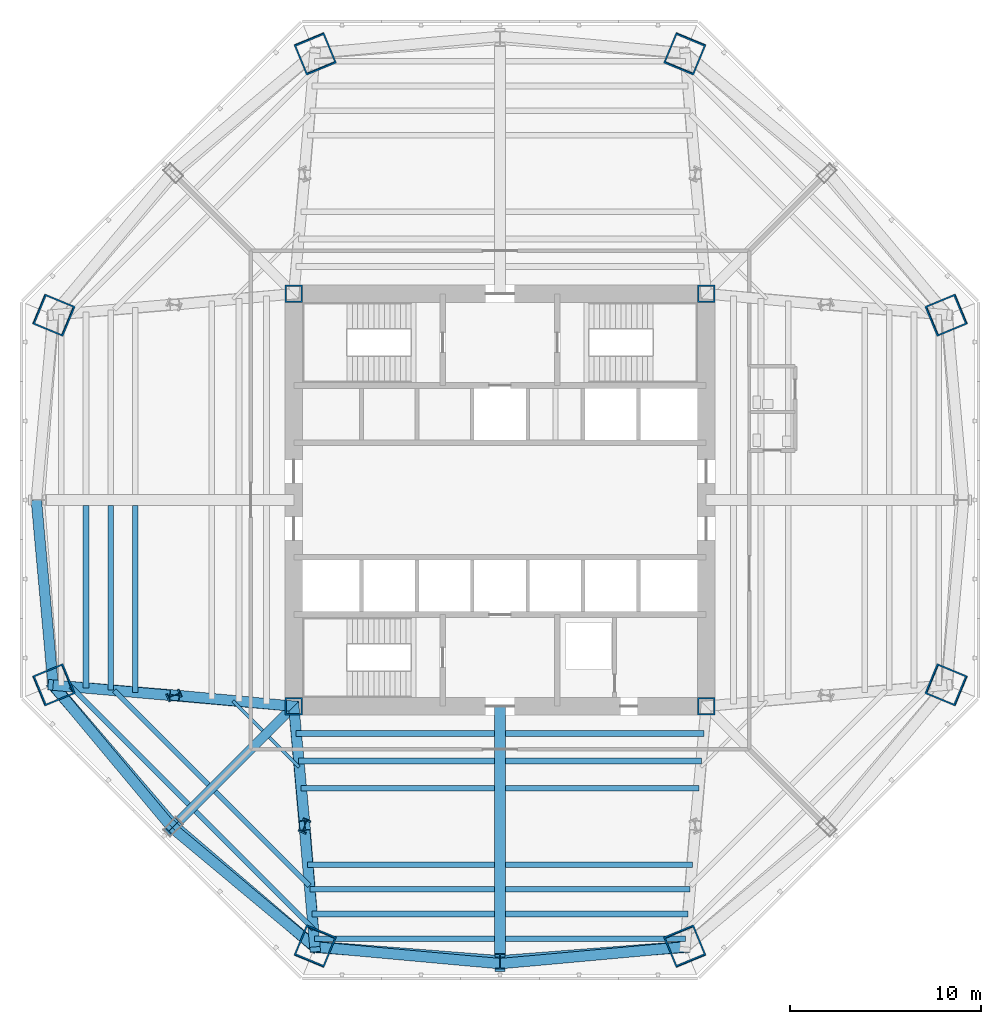
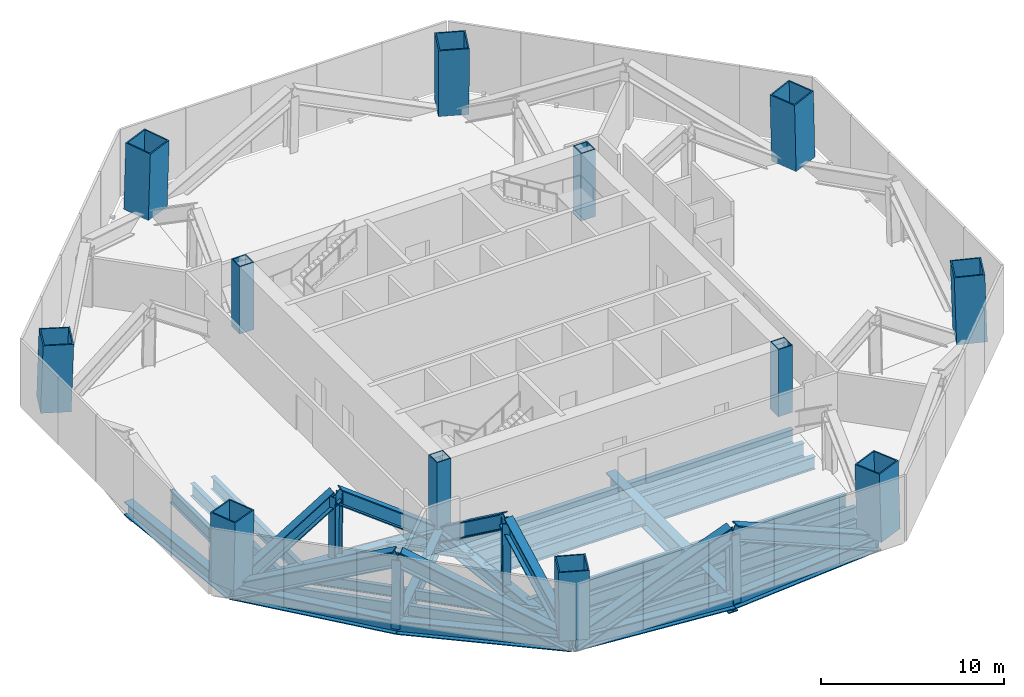
# One storey, part 1 of 9: 25 beams, 21 members, 12 columns.
"""IFC4 building model written with IfcOpenShell, lengths in metres."""

from ifc_helpers import new_model, si_unit, direction, frame, origin, origin_2d, place, context, subcontext, project, spatial, hollow_rectangle, i_section, extrude, source, transform, mapped, material, material_profile, profile_set, type_object, type_shapes, element, save


model = new_model("IFC4")

# Units and contexts
model_context = context("Model", 3, precision=1e-05, world=origin(), true_north=direction((0.0, 1.0)))
body_context = subcontext(model_context, "Body", "Model", "MODEL_VIEW")
ifc_project = project(units=[si_unit("LENGTHUNIT", "METRE"), si_unit("AREAUNIT", "SQUARE_METRE"), si_unit("VOLUMEUNIT", "CUBIC_METRE"), si_unit("PLANEANGLEUNIT", "RADIAN"), si_unit("MASSUNIT", "GRAM", prefix="KILO")], contexts=[model_context])

# Site, building, storey
site_placement = place(None, origin())
site = spatial("IfcSite", under=ifc_project, at=site_placement, CompositionType="ELEMENT")
building_placement = place(site_placement, origin())
building = spatial("IfcBuilding", under=site, at=building_placement, Name="Mashrafa Tower", CompositionType="ELEMENT")
storey_placement = place(building_placement, frame((0.0, 0.0, 104.39990234375)))
storey = spatial("IfcBuildingStorey", under=building, at=storey_placement, Name="L23", CompositionType="ELEMENT", Elevation=104.39990234375)

# Columns
ifc_material_1 = material(Name="Steel ASTM A572 Gr 50", Category="steel")
ifc_material_profile_1 = material_profile(ifc_material_1, hollow_rectangle(XDim=0.89990234375, YDim=0.89990234375, WallThickness=0.06005859375, at=origin_2d()), Name="BOX900X900X60")
ifc_profile_set_1 = profile_set([ifc_material_profile_1], Name="Steel ASTM A572 Gr 50")
column_type_1 = type_object("IfcColumnType", Name="Core corner column BOX900X900X60", PredefinedType="COLUMN", material=ifc_profile_set_1)
for number, where, z_axis, x_axis, name in (
    (1, (10.800048828125, 10.800048828125, 0.0), (0.0, 0.0, 1.0), (1.0, 0.0, 0.0), "Core corner column CC-NE L23"),
    (2, (-10.800048828125, 10.800048828125, 0.0), (0.0, 0.0, 1.0), (1.0, 0.0, 0.0), "Core corner column CC-NW L23"),
    (3, (-10.800048828125, -10.800048828125, 0.0), (0.0, 0.0, 1.0), (1.0, 0.0, 0.0), "Core corner column CC-SW L23"),
    (4, (10.800048828125, -10.800048828125, 0.0), (0.0, 0.0, 1.0), (1.0, 0.0, 0.0), "Core corner column CC-SE L23"),
):
    element("IfcColumn", number, at=place(storey_placement, frame(where, z_axis=z_axis, x_axis=x_axis)), inside=storey, type_object=column_type_1, Name=name, PredefinedType="COLUMN", context=body_context, shape_type="SweptSolid", body=[
        extrude(hollow_rectangle(XDim=0.89990234375, YDim=0.89990234375, WallThickness=0.06005859375, at=origin_2d()), origin(), (0.0, 0.0, 1.0), 4.5),
    ])
ifc_material_2 = material(Name="Steel ASTM A572 Gr 50", Category="steel")
ifc_material_profile_2 = material_profile(ifc_material_2, hollow_rectangle(XDim=1.699951171875, YDim=1.699951171875, WallThickness=0.080078125, at=origin_2d()), Name="BOX1700X1700X80")
ifc_profile_set_2 = profile_set([ifc_material_profile_2], Name="Steel ASTM A572 Gr 50")
column_type_2 = type_object("IfcColumnType", Name="Mega column CFST BOX1700X1700X80", PredefinedType="COLUMN", material=ifc_profile_set_2)
for number, where, z_axis, x_axis, name in (
    (5, (23.38330078125, 9.685546875, 0.0), (-0.028307020249, -0.011713249758, 0.999530646046), (0.382351792726, -0.924016832422, 0.0), "Mega column MC1 L23"),
    (6, (9.685546875, 23.38330078125, 0.0), (-0.011713249758, -0.028307020249, 0.999530646046), (0.924016832422, -0.382351792726, 0.0), "Mega column MC2 L23"),
    (7, (-9.685546875, 23.38330078125, 0.0), (0.011713249758, -0.028307020249, 0.999530646046), (0.924016832422, 0.382351792726, 0.0), "Mega column MC3 L23"),
    (8, (-23.38330078125, 9.685546875, 0.0), (0.028307020249, -0.011713249758, 0.999530646046), (0.382351792726, 0.924016832422, 0.0), "Mega column MC4 L23"),
    (9, (-23.38330078125, -9.685546875, 0.0), (0.028307020249, 0.011713249758, 0.999530646046), (-0.382351792726, 0.924016832422, 0.0), "Mega column MC5 L23"),
    (10, (-9.685546875, -23.38330078125, 0.0), (0.011713249758, 0.028307020249, 0.999530646046), (-0.924016832422, 0.382351792726, 0.0), "Mega column MC6 L23"),
    (11, (9.685546875, -23.38330078125, 0.0), (-0.011713249758, 0.028307020249, 0.999530646046), (-0.924016832422, -0.382351792726, 0.0), "Mega column MC7 L23"),
    (12, (23.38330078125, -9.685546875, 0.0), (-0.028307020249, 0.011713249758, 0.999530646046), (-0.382351792726, -0.924016832422, 0.0), "Mega column MC8 L23"),
):
    element("IfcColumn", number, at=place(storey_placement, frame(where, z_axis=z_axis, x_axis=x_axis)), inside=storey, type_object=column_type_2, Name=name, PredefinedType="COLUMN", context=body_context, shape_type="SweptSolid", body=[
        extrude(hollow_rectangle(XDim=1.699951171875, YDim=1.699951171875, WallThickness=0.080078125, at=origin_2d()), origin(), (0.0, 0.0, 1.0), 4.502197265625),
    ])

# Beams
ifc_material_3 = material(Name="Steel ASTM A572 Gr 50", Category="steel")
ifc_material_profile_3 = material_profile(ifc_material_3, i_section(OverallWidth=0.5, OverallDepth=1.10009765625, WebThickness=0.02490234375, FlangeThickness=0.050048828125, at=origin_2d()), Name="H1100X500X25X50")
ifc_profile_set_3 = profile_set([ifc_material_profile_3], Name="Steel ASTM A572 Gr 50")
beam_type_1 = type_object("IfcBeamType", Name="Beam H1100X500X25X50", PredefinedType="BEAM", material=ifc_profile_set_3)
beam_1_placement = place(storey_placement, frame((-10.800048828125, -10.800048828125, -0.7998046875), z_axis=(-0.707106781187, -0.707106781187, 0.0), x_axis=(0.707106781187, -0.707106781187, 0.0)))
element("IfcBeam", 13, at=beam_1_placement, inside=storey, type_object=beam_type_1, Name="Radial girder L23 081", PredefinedType="BEAM", context=body_context, shape_type="SweptSolid", body=[
    extrude(i_section(OverallWidth=0.5, OverallDepth=1.10009765625, WebThickness=0.02490234375, FlangeThickness=0.050048828125, at=origin_2d()), origin(), (0.0, 0.0, 1.0), 8.994873046875),
])
ifc_material_4 = material(Name="Steel ASTM A572 Gr 50", Category="steel")
ifc_material_profile_4 = material_profile(ifc_material_4, i_section(OverallWidth=0.60009765625, OverallDepth=1.300048828125, WebThickness=0.028076171875, FlangeThickness=0.06494140625, at=origin_2d()), Name="H1300X600X28X65")
ifc_profile_set_4 = profile_set([ifc_material_profile_4], Name="Steel ASTM A572 Gr 50")
beam_type_2 = type_object("IfcBeamType", Name="Beam H1300X600X28X65", PredefinedType="BEAM", material=ifc_profile_set_4)
beam_2_placement = place(storey_placement, frame((0.0, -10.800048828125, -0.89990234375), z_axis=(0.0, -1.0, 0.0), x_axis=(1.0, 0.0, 0.0)))
element("IfcBeam", 14, at=beam_2_placement, inside=storey, type_object=beam_type_2, Name="Radial girder L23 084", PredefinedType="BEAM", context=body_context, shape_type="SweptSolid", body=[
    extrude(i_section(OverallWidth=0.60009765625, OverallDepth=1.300048828125, WebThickness=0.028076171875, FlangeThickness=0.06494140625, at=origin_2d()), origin(), (0.0, 0.0, 1.0), 13.468505859375),
])
ifc_material_5 = material(Name="Steel ASTM A992", Category="steel")
ifc_material_profile_5 = material_profile(ifc_material_5, i_section(OverallWidth=0.164794921875, OverallDepth=0.309814453125, WebThickness=0.005859375, FlangeThickness=0.009765625, FilletRadius=0.007568359375, at=origin_2d()), Name="W12X26")
ifc_profile_set_5 = profile_set([ifc_material_profile_5], Name="Steel ASTM A992")
beam_type_3 = type_object("IfcBeamType", Name="Beam W12X26", PredefinedType="BEAM", material=ifc_profile_set_5)
for number, where, z_axis, x_axis, name in (
    (15, (-12.432373046875, -12.078857421875, -0.40478515625), (-0.707051471493, 0.707162086554, 0.0), (-0.707162086554, -0.707051471493, 0.0), "Floor beam L23 020"),
    (16, (-10.51806640625, -13.992919921875, -0.40478515625), (-0.707162086554, 0.707051471493, 0.0), (-0.707051471493, -0.707162086554, 0.0), "Floor beam L23 026"),
):
    element("IfcBeam", number, at=place(storey_placement, frame(where, z_axis=z_axis, x_axis=x_axis)), inside=storey, type_object=beam_type_3, Name=name, PredefinedType="BEAM", context=body_context, shape_type="SweptSolid", body=[
        extrude(i_section(OverallWidth=0.164794921875, OverallDepth=0.309814453125, WebThickness=0.005859375, FlangeThickness=0.009765625, FilletRadius=0.007568359375, at=origin_2d()), origin(), (0.0, 0.0, 1.0), 2.20703125),
    ])
ifc_material_6 = material(Name="Steel ASTM A992", Category="steel")
ifc_material_profile_6 = material_profile(ifc_material_6, i_section(OverallWidth=0.25390625, OverallDepth=0.67822265625, WebThickness=0.01171875, FlangeThickness=0.016357421875, FilletRadius=0.01513671875, at=origin_2d()), Name="W27X84")
ifc_profile_set_6 = profile_set([ifc_material_profile_6], Name="Steel ASTM A992")
beam_type_4 = type_object("IfcBeamType", Name="Beam W27X84", PredefinedType="BEAM", material=ifc_profile_set_6)
for number, where, z_axis, x_axis, name in (
    (17, (-15.2607421875, -14.9072265625, -0.589111328125), (-0.707106781187, 0.707106781187, 0.0), (-0.707106781187, -0.707106781187, 0.0), "Floor beam L23 015"),
    (18, (-9.970458984375, -20.197509765625, -0.589111328125), (-0.707106781187, 0.707106781187, 0.0), (-0.707106781187, -0.707106781187, 0.0), "Floor beam L23 029"),
):
    element("IfcBeam", number, at=place(storey_placement, frame(where, z_axis=z_axis, x_axis=x_axis)), inside=storey, type_object=beam_type_4, Name=name, PredefinedType="BEAM", context=body_context, shape_type="SweptSolid", body=[
        extrude(i_section(OverallWidth=0.25390625, OverallDepth=0.67822265625, WebThickness=0.01171875, FlangeThickness=0.016357421875, FilletRadius=0.01513671875, at=origin_2d()), origin(), (0.0, 0.0, 1.0), 6.981689453125),
    ])
ifc_material_7 = material(Name="Steel ASTM A992", Category="steel")
ifc_material_profile_7 = material_profile(ifc_material_7, i_section(OverallWidth=0.2666015625, OverallDepth=0.761962890625, WebThickness=0.014404296875, FlangeThickness=0.021484375, FilletRadius=0.0166015625, at=origin_2d()), Name="W30X116")
ifc_profile_set_7 = profile_set([ifc_material_profile_7], Name="Steel ASTM A992")
beam_type_5 = type_object("IfcBeamType", Name="Beam W30X116", PredefinedType="BEAM", material=ifc_profile_set_7)
for number, where, z_axis, x_axis, name in (
    (19, (-16.299072265625, -15.9453125, -0.630859375), (-0.707106781187, 0.707106781187, 0.0), (-0.707106781187, -0.707106781187, 0.0), "Floor beam L23 011"),
    (20, (-9.769287109375, -22.47509765625, -0.630859375), (-0.707106781187, 0.707106781187, 0.0), (-0.707106781187, -0.707106781187, 0.0), "Floor beam L23 032"),
):
    element("IfcBeam", number, at=place(storey_placement, frame(where, z_axis=z_axis, x_axis=x_axis)), inside=storey, type_object=beam_type_5, Name=name, PredefinedType="BEAM", context=body_context, shape_type="SweptSolid", body=[
        extrude(i_section(OverallWidth=0.2666015625, OverallDepth=0.761962890625, WebThickness=0.014404296875, FlangeThickness=0.021484375, FilletRadius=0.0166015625, at=origin_2d()), origin(), (0.0, 0.0, 1.0), 8.734130859375),
    ])
ifc_material_8 = material(Name="Steel ASTM A992", Category="steel")
ifc_material_profile_8 = material_profile(ifc_material_8, i_section(OverallWidth=0.2919921875, OverallDepth=0.8408203125, WebThickness=0.0146484375, FlangeThickness=0.021728515625, FilletRadius=0.017333984375, at=origin_2d()), Name="W33X130")
ifc_profile_set_8 = profile_set([ifc_material_profile_8], Name="Steel ASTM A992")
beam_type_6 = type_object("IfcBeamType", Name="Beam W33X130", PredefinedType="BEAM", material=ifc_profile_set_8)
beam_3_placement = place(storey_placement, frame((-21.681884765625, -9.83935546875, -0.670166015625), z_axis=(0.0, 1.0, 0.0), x_axis=(-1.0, 0.0, 0.0)))
element("IfcBeam", 21, at=beam_3_placement, inside=storey, type_object=beam_type_6, Name="Floor beam L23 004", PredefinedType="BEAM", context=body_context, shape_type="SweptSolid", body=[
    extrude(i_section(OverallWidth=0.2919921875, OverallDepth=0.8408203125, WebThickness=0.0146484375, FlangeThickness=0.021728515625, FilletRadius=0.017333984375, at=origin_2d()), origin(), (0.0, 0.0, 1.0), 9.539306640625),
])
beam_4_placement = place(storey_placement, frame((-20.388427734375, -9.95361328125, -0.670166015625), z_axis=(0.0, 1.0, 0.0), x_axis=(-1.0, 0.0, 0.0)))
element("IfcBeam", 22, at=beam_4_placement, inside=storey, type_object=beam_type_6, Name="Floor beam L23 006", PredefinedType="BEAM", context=body_context, shape_type="SweptSolid", body=[
    extrude(i_section(OverallWidth=0.2919921875, OverallDepth=0.8408203125, WebThickness=0.0146484375, FlangeThickness=0.021728515625, FilletRadius=0.017333984375, at=origin_2d()), origin(), (0.0, 0.0, 1.0), 9.653564453125),
])
beam_5_placement = place(storey_placement, frame((-0.300048828125, -22.97509765625, -0.670166015625), z_axis=(-1.0, 0.0, 0.0), x_axis=(0.0, -1.0, 0.0)))
element("IfcBeam", 23, at=beam_5_placement, inside=storey, type_object=beam_type_6, Name="Floor beam L23 034", PredefinedType="BEAM", context=body_context, shape_type="SweptSolid", body=[
    extrude(i_section(OverallWidth=0.2919921875, OverallDepth=0.8408203125, WebThickness=0.0146484375, FlangeThickness=0.021728515625, FilletRadius=0.017333984375, at=origin_2d()), origin(), (0.0, 0.0, 1.0), 9.425048828125),
])
beam_6_placement = place(storey_placement, frame((-0.300048828125, -21.681884765625, -0.670166015625), z_axis=(-1.0, 0.0, 0.0), x_axis=(0.0, -1.0, 0.0)))
element("IfcBeam", 24, at=beam_6_placement, inside=storey, type_object=beam_type_6, Name="Floor beam L23 035", PredefinedType="BEAM", context=body_context, shape_type="SweptSolid", body=[
    extrude(i_section(OverallWidth=0.2919921875, OverallDepth=0.8408203125, WebThickness=0.0146484375, FlangeThickness=0.021728515625, FilletRadius=0.017333984375, at=origin_2d()), origin(), (0.0, 0.0, 1.0), 9.539306640625),
])
beam_7_placement = place(storey_placement, frame((-0.300048828125, -20.388427734375, -0.670166015625), z_axis=(-1.0, 0.0, 0.0), x_axis=(0.0, -1.0, 0.0)))
element("IfcBeam", 25, at=beam_7_placement, inside=storey, type_object=beam_type_6, Name="Floor beam L23 036", PredefinedType="BEAM", context=body_context, shape_type="SweptSolid", body=[
    extrude(i_section(OverallWidth=0.2919921875, OverallDepth=0.8408203125, WebThickness=0.0146484375, FlangeThickness=0.021728515625, FilletRadius=0.017333984375, at=origin_2d()), origin(), (0.0, 0.0, 1.0), 9.653564453125),
])
beam_8_placement = place(storey_placement, frame((9.72509765625, -22.97509765625, -0.670166015625), z_axis=(-1.0, 0.0, 0.0), x_axis=(0.0, -1.0, 0.0)))
element("IfcBeam", 26, at=beam_8_placement, inside=storey, type_object=beam_type_6, Name="Floor beam L23 048", PredefinedType="BEAM", context=body_context, shape_type="SweptSolid", body=[
    extrude(i_section(OverallWidth=0.2919921875, OverallDepth=0.8408203125, WebThickness=0.0146484375, FlangeThickness=0.021728515625, FilletRadius=0.017333984375, at=origin_2d()), origin(), (0.0, 0.0, 1.0), 9.425048828125),
])
beam_9_placement = place(storey_placement, frame((9.83935546875, -21.681884765625, -0.670166015625), z_axis=(-1.0, 0.0, 0.0), x_axis=(0.0, -1.0, 0.0)))
element("IfcBeam", 27, at=beam_9_placement, inside=storey, type_object=beam_type_6, Name="Floor beam L23 050", PredefinedType="BEAM", context=body_context, shape_type="SweptSolid", body=[
    extrude(i_section(OverallWidth=0.2919921875, OverallDepth=0.8408203125, WebThickness=0.0146484375, FlangeThickness=0.021728515625, FilletRadius=0.017333984375, at=origin_2d()), origin(), (0.0, 0.0, 1.0), 9.539306640625),
])
beam_10_placement = place(storey_placement, frame((9.95361328125, -20.388427734375, -0.670166015625), z_axis=(-1.0, 0.0, 0.0), x_axis=(0.0, -1.0, 0.0)))
element("IfcBeam", 28, at=beam_10_placement, inside=storey, type_object=beam_type_6, Name="Floor beam L23 051", PredefinedType="BEAM", context=body_context, shape_type="SweptSolid", body=[
    extrude(i_section(OverallWidth=0.2919921875, OverallDepth=0.8408203125, WebThickness=0.0146484375, FlangeThickness=0.021728515625, FilletRadius=0.017333984375, at=origin_2d()), origin(), (0.0, 0.0, 1.0), 9.653564453125),
])
ifc_material_9 = material(Name="Steel ASTM A992", Category="steel")
ifc_material_profile_9 = material_profile(ifc_material_9, i_section(OverallWidth=0.2919921875, OverallDepth=0.845703125, WebThickness=0.015380859375, FlangeThickness=0.0244140625, FilletRadius=0.017333984375, at=origin_2d()), Name="W33X141")
ifc_profile_set_9 = profile_set([ifc_material_profile_9], Name="Steel ASTM A992")
beam_type_7 = type_object("IfcBeamType", Name="Beam W33X141", PredefinedType="BEAM", material=ifc_profile_set_9)
for number, where, z_axis, x_axis, name in (
    (29, (-19.094970703125, -10.06787109375, -0.6728515625), (0.0, 1.0, 0.0), (-1.0, 0.0, 0.0), "Floor beam L23 009"),
    (30, (-0.300048828125, -19.094970703125, -0.6728515625), (-1.0, 0.0, 0.0), (0.0, -1.0, 0.0), "Floor beam L23 037"),
):
    element("IfcBeam", number, at=place(storey_placement, frame(where, z_axis=z_axis, x_axis=x_axis)), inside=storey, type_object=beam_type_7, Name=name, PredefinedType="BEAM", context=body_context, shape_type="SweptSolid", body=[
        extrude(i_section(OverallWidth=0.2919921875, OverallDepth=0.845703125, WebThickness=0.015380859375, FlangeThickness=0.0244140625, FilletRadius=0.017333984375, at=origin_2d()), origin(), (0.0, 0.0, 1.0), 9.767822265625),
    ])
beam_11_placement = place(storey_placement, frame((-0.300048828125, -15.094970703125, -0.6728515625), z_axis=(-1.0, 0.0, 0.0), x_axis=(0.0, -1.0, 0.0)))
element("IfcBeam", 31, at=beam_11_placement, inside=storey, type_object=beam_type_7, Name="Floor beam L23 038", PredefinedType="BEAM", context=body_context, shape_type="SweptSolid", body=[
    extrude(i_section(OverallWidth=0.2919921875, OverallDepth=0.845703125, WebThickness=0.015380859375, FlangeThickness=0.0244140625, FilletRadius=0.017333984375, at=origin_2d()), origin(), (0.0, 0.0, 1.0), 10.120849609375),
])
beam_12_placement = place(storey_placement, frame((10.06787109375, -19.094970703125, -0.6728515625), z_axis=(-1.0, 0.0, 0.0), x_axis=(0.0, -1.0, 0.0)))
element("IfcBeam", 32, at=beam_12_placement, inside=storey, type_object=beam_type_7, Name="Floor beam L23 053", PredefinedType="BEAM", context=body_context, shape_type="SweptSolid", body=[
    extrude(i_section(OverallWidth=0.2919921875, OverallDepth=0.845703125, WebThickness=0.015380859375, FlangeThickness=0.0244140625, FilletRadius=0.017333984375, at=origin_2d()), origin(), (0.0, 0.0, 1.0), 9.767822265625),
])
beam_13_placement = place(storey_placement, frame((10.4208984375, -15.094970703125, -0.6728515625), z_axis=(-1.0, 0.0, 0.0), x_axis=(0.0, -1.0, 0.0)))
element("IfcBeam", 33, at=beam_13_placement, inside=storey, type_object=beam_type_7, Name="Floor beam L23 054", PredefinedType="BEAM", context=body_context, shape_type="SweptSolid", body=[
    extrude(i_section(OverallWidth=0.2919921875, OverallDepth=0.845703125, WebThickness=0.015380859375, FlangeThickness=0.0244140625, FilletRadius=0.017333984375, at=origin_2d()), origin(), (0.0, 0.0, 1.0), 10.120849609375),
])
ifc_material_10 = material(Name="Steel ASTM A992", Category="steel")
ifc_material_profile_10 = material_profile(ifc_material_10, i_section(OverallWidth=0.3046875, OverallDepth=0.911865234375, WebThickness=0.015869140625, FlangeThickness=0.02392578125, FilletRadius=0.01904296875, at=origin_2d()), Name="W36X150")
ifc_profile_set_10 = profile_set([ifc_material_profile_10], Name="Steel ASTM A992")
beam_type_8 = type_object("IfcBeamType", Name="Beam W36X150", PredefinedType="BEAM", material=ifc_profile_set_10)
beam_14_placement = place(storey_placement, frame((-0.300048828125, -13.663330078125, -0.705810546875), z_axis=(-1.0, 0.0, 0.0), x_axis=(0.0, -1.0, 0.0)))
element("IfcBeam", 34, at=beam_14_placement, inside=storey, type_object=beam_type_8, Name="Floor beam L23 039", PredefinedType="BEAM", context=body_context, shape_type="SweptSolid", body=[
    extrude(i_section(OverallWidth=0.3046875, OverallDepth=0.911865234375, WebThickness=0.015869140625, FlangeThickness=0.02392578125, FilletRadius=0.01904296875, at=origin_2d()), origin(), (0.0, 0.0, 1.0), 10.2470703125),
])
beam_15_placement = place(storey_placement, frame((-0.300048828125, -12.231689453125, -0.705810546875), z_axis=(-1.0, 0.0, 0.0), x_axis=(0.0, -1.0, 0.0)))
element("IfcBeam", 35, at=beam_15_placement, inside=storey, type_object=beam_type_8, Name="Floor beam L23 040", PredefinedType="BEAM", context=body_context, shape_type="SweptSolid", body=[
    extrude(i_section(OverallWidth=0.3046875, OverallDepth=0.911865234375, WebThickness=0.015869140625, FlangeThickness=0.02392578125, FilletRadius=0.01904296875, at=origin_2d()), origin(), (0.0, 0.0, 1.0), 10.37353515625),
])
beam_16_placement = place(storey_placement, frame((10.547119140625, -13.663330078125, -0.705810546875), z_axis=(-1.0, 0.0, 0.0), x_axis=(0.0, -1.0, 0.0)))
element("IfcBeam", 36, at=beam_16_placement, inside=storey, type_object=beam_type_8, Name="Floor beam L23 056", PredefinedType="BEAM", context=body_context, shape_type="SweptSolid", body=[
    extrude(i_section(OverallWidth=0.3046875, OverallDepth=0.911865234375, WebThickness=0.015869140625, FlangeThickness=0.02392578125, FilletRadius=0.01904296875, at=origin_2d()), origin(), (0.0, 0.0, 1.0), 10.2470703125),
])
beam_17_placement = place(storey_placement, frame((10.673583984375, -12.231689453125, -0.705810546875), z_axis=(-1.0, 0.0, 0.0), x_axis=(0.0, -1.0, 0.0)))
element("IfcBeam", 37, at=beam_17_placement, inside=storey, type_object=beam_type_8, Name="Floor beam L23 057", PredefinedType="BEAM", context=body_context, shape_type="SweptSolid", body=[
    extrude(i_section(OverallWidth=0.3046875, OverallDepth=0.911865234375, WebThickness=0.015869140625, FlangeThickness=0.02392578125, FilletRadius=0.01904296875, at=origin_2d()), origin(), (0.0, 0.0, 1.0), 10.37353515625),
])

# Members
ifc_material_11 = material(Name="Steel ASTM A572 Gr 50", Category="steel")
ifc_material_profile_11 = material_profile(ifc_material_11, i_section(OverallWidth=0.550048828125, OverallDepth=0.89990234375, WebThickness=0.034912109375, FlangeThickness=0.06005859375, at=origin_2d()), Name="H900X550X35X60")
ifc_profile_set_11 = profile_set([ifc_material_profile_11], Name="Steel ASTM A572 Gr 50")
member_type_1 = type_object("IfcMemberType", Name="Belt truss chord H900X550X35X60", PredefinedType="CHORD", material=ifc_profile_set_11)
shared_shape_1 = source(origin(), body_context, "Body", "SweptSolid", [
    extrude(i_section(OverallWidth=0.550048828125, OverallDepth=0.89990234375, WebThickness=0.034912109375, FlangeThickness=0.06005859375, at=origin_2d()), origin(), (0.0, 0.0, 1.0), 9.733642578125),
])
type_shapes(member_type_1, [shared_shape_1])
for number, where, z_axis, x_axis, name in (
    (38, (-23.403076171875, -9.69384765625, -0.699951171875), (-0.090221389171, 0.995921734343, 0.0), (-0.995921734343, -0.090221389171, 0.0), "Belt truss bottom chord west face L23 left"),
    (39, (-23.403076171875, -9.69384765625, -0.699951171875), (0.6404261448, -0.76801976085, 0.0), (0.76801976085, 0.6404261448, 0.0), "Belt truss bottom chord south-west face L23 right"),
    (40, (-9.69384765625, -23.403076171875, -0.699951171875), (-0.76801976085, 0.6404261448, 0.0), (-0.6404261448, -0.76801976085, 0.0), "Belt truss bottom chord south-west face L23 left"),
    (41, (-9.69384765625, -23.403076171875, -0.699951171875), (0.995921734343, -0.090221389171, 0.0), (0.090221389171, 0.995921734343, 0.0), "Belt truss bottom chord south face L23 right"),
    (42, (9.69384765625, -23.403076171875, -0.699951171875), (-0.995921734343, -0.090221389171, 0.0), (0.090221389171, -0.995921734343, 0.0), "Belt truss bottom chord south face L23 left"),
):
    element("IfcMember", number, at=place(storey_placement, frame(where, z_axis=z_axis, x_axis=x_axis)), inside=storey, type_object=member_type_1, Name=name, PredefinedType="CHORD", context=body_context, shape_type="MappedRepresentation", body=[
        mapped(shared_shape_1, transform((0.0, 0.0, 0.0))),
    ])
ifc_material_12 = material(Name="Steel ASTM A572 Gr 50", Category="steel")
ifc_material_profile_12 = material_profile(ifc_material_12, i_section(OverallWidth=0.5, OverallDepth=0.800048828125, WebThickness=0.031982421875, FlangeThickness=0.050048828125, at=origin_2d()), Name="H800X500X32X50")
ifc_profile_set_12 = profile_set([ifc_material_profile_12], Name="Steel ASTM A572 Gr 50")
member_type_2 = type_object("IfcMemberType", Name="Belt truss post H800X500X32X50", PredefinedType="POST", material=ifc_profile_set_12)
shared_shape_2 = source(origin(), body_context, "Body", "SweptSolid", [
    extrude(i_section(OverallWidth=0.5, OverallDepth=0.800048828125, WebThickness=0.031982421875, FlangeThickness=0.050048828125, at=origin_2d()), origin(), (0.0, 0.0, 1.0), 4.501708984375),
])
type_shapes(member_type_2, [shared_shape_2])
for number, where, z_axis, x_axis, name in (
    (43, (-17.16943359375, -17.16943359375, -0.699951171875), (0.02001151261, 0.02001151261, 0.999599459147), (-0.707106781187, 0.707106781187, 0.0), "Belt truss post south-west face L23"),
    (44, (0.0, -24.28125, -0.699951171875), (0.0, 0.028308962314, 0.999599221014), (-1.0, 0.0, 0.0), "Belt truss post south face L23"),
):
    element("IfcMember", number, at=place(storey_placement, frame(where, z_axis=z_axis, x_axis=x_axis)), inside=storey, type_object=member_type_2, Name=name, PredefinedType="POST", context=body_context, shape_type="MappedRepresentation", body=[
        mapped(shared_shape_2, transform((0.0, 0.0, 0.0))),
    ])
ifc_material_13 = material(Name="Steel ASTM A572 Gr 50", Category="steel")
ifc_material_profile_13 = material_profile(ifc_material_13, i_section(OverallWidth=0.60009765625, OverallDepth=1.0, WebThickness=0.0400390625, FlangeThickness=0.070068359375, at=origin_2d()), Name="H1000X600X40X70")
ifc_profile_set_13 = profile_set([ifc_material_profile_13], Name="Steel ASTM A572 Gr 50")
member_type_3 = type_object("IfcMemberType", Name="Belt truss diagonal H1000X600X40X70", PredefinedType="BRACE", material=ifc_profile_set_13)
shared_shape_3 = source(origin(), body_context, "Body", "SweptSolid", [
    extrude(i_section(OverallWidth=0.60009765625, OverallDepth=1.0, WebThickness=0.0400390625, FlangeThickness=0.070068359375, at=origin_2d()), origin(), (0.0, 0.0, 1.0), 10.713623046875),
])
for number, where, z_axis, x_axis, name in (
    (45, (-9.69384765625, -23.403076171875, -0.699951171875), (0.904804975602, -0.070071911046, 0.420021289233), (0.077213014488, 0.997014618947, 0.0), "Belt truss diagonal south face L23 right"),
    (46, (9.69384765625, -23.403076171875, -0.699951171875), (-0.904804975602, -0.070071911046, 0.420021289233), (0.077213014488, -0.997014618947, 0.0), "Belt truss diagonal south face L23 left"),
):
    element("IfcMember", number, at=place(storey_placement, frame(where, z_axis=z_axis, x_axis=x_axis)), inside=storey, type_object=member_type_3, Name=name, PredefinedType="BRACE", context=body_context, shape_type="MappedRepresentation", body=[
        mapped(shared_shape_3, transform((0.0, 0.0, 0.0))),
    ])
shared_shape_4 = source(origin(), body_context, "Body", "SweptSolid", [
    extrude(i_section(OverallWidth=0.60009765625, OverallDepth=1.0, WebThickness=0.0400390625, FlangeThickness=0.070068359375, at=origin_2d()), origin(), (0.0, 0.0, 1.0), 10.7138671875),
])
type_shapes(member_type_3, [shared_shape_3, shared_shape_4])
for number, where, z_axis, x_axis, name in (
    (47, (-23.403076171875, -9.69384765625, -0.699951171875), (0.590242532092, -0.689345488314, 0.42001970317), (0.759596810312, 0.650394254098, 0.0), "Belt truss diagonal south-west face L23 right"),
    (48, (-9.69384765625, -23.403076171875, -0.699951171875), (-0.689345488314, 0.590242532092, 0.42001970317), (-0.650394254098, -0.759596810312, 0.0), "Belt truss diagonal south-west face L23 left"),
):
    element("IfcMember", number, at=place(storey_placement, frame(where, z_axis=z_axis, x_axis=x_axis)), inside=storey, type_object=member_type_3, Name=name, PredefinedType="BRACE", context=body_context, shape_type="MappedRepresentation", body=[
        mapped(shared_shape_4, transform((0.0, 0.0, 0.0))),
    ])
ifc_material_14 = material(Name="Steel ASTM A572 Gr 50", Category="steel")
ifc_material_profile_14 = material_profile(ifc_material_14, i_section(OverallWidth=0.550048828125, OverallDepth=0.89990234375, WebThickness=0.034912109375, FlangeThickness=0.06005859375, at=origin_2d()), Name="H900X550X35X60")
ifc_profile_set_14 = profile_set([ifc_material_profile_14], Name="Steel ASTM A572 Gr 50")
member_type_4 = type_object("IfcMemberType", Name="Outrigger chord H900X550X35X60", PredefinedType="CHORD", material=ifc_profile_set_14)
shared_shape_5 = source(origin(), body_context, "Body", "SweptSolid", [
    extrude(i_section(OverallWidth=0.550048828125, OverallDepth=0.89990234375, WebThickness=0.034912109375, FlangeThickness=0.06005859375, at=origin_2d()), origin(), (0.0, 0.0, 1.0), 6.32568359375),
])
type_shapes(member_type_4, [shared_shape_5])
for number, where, z_axis, x_axis, name in (
    (49, (-10.800048828125, -10.800048828125, -0.699951171875), (-0.996168414642, 0.087455644011, 0.0), (-0.087455644011, -0.996168414642, 0.0), "Outrigger bottom chord MC5 L23 core end"),
    (50, (-17.1015625, -10.246826171875, -0.699951171875), (-0.996171776311, 0.087417344285, 0.0), (-0.087417344285, -0.996171776311, 0.0), "Outrigger bottom chord MC5 L23 column end"),
    (51, (-10.800048828125, -10.800048828125, -0.699951171875), (0.087455644011, -0.996168414642, 0.0), (0.996168414642, 0.087455644011, 0.0), "Outrigger bottom chord MC6 L23 core end"),
    (52, (-10.246826171875, -17.1015625, -0.699951171875), (0.087417344285, -0.996171776311, 0.0), (0.996171776311, 0.087417344285, 0.0), "Outrigger bottom chord MC6 L23 column end"),
):
    element("IfcMember", number, at=place(storey_placement, frame(where, z_axis=z_axis, x_axis=x_axis)), inside=storey, type_object=member_type_4, Name=name, PredefinedType="CHORD", context=body_context, shape_type="MappedRepresentation", body=[
        mapped(shared_shape_5, transform((0.0, 0.0, 0.0))),
    ])
ifc_material_15 = material(Name="Steel ASTM A572 Gr 50", Category="steel")
ifc_material_profile_15 = material_profile(ifc_material_15, i_section(OverallWidth=0.449951171875, OverallDepth=0.699951171875, WebThickness=0.028076171875, FlangeThickness=0.044921875, at=origin_2d()), Name="H700X450X28X45")
ifc_profile_set_15 = profile_set([ifc_material_profile_15], Name="Steel ASTM A572 Gr 50")
member_type_5 = type_object("IfcMemberType", Name="Outrigger post H700X450X28X45", PredefinedType="POST", material=ifc_profile_set_15)
shared_shape_6 = source(origin(), body_context, "Body", "SweptSolid", [
    extrude(i_section(OverallWidth=0.449951171875, OverallDepth=0.699951171875, WebThickness=0.028076171875, FlangeThickness=0.044921875, at=origin_2d()), origin(), (0.0, 0.0, 1.0), 4.50048828125),
])
type_shapes(member_type_5, [shared_shape_6])
for number, where, z_axis, x_axis, name in (
    (53, (-17.1015625, -10.246826171875, -0.699951171875), (0.014158493841, 0.005858687107, 0.999882599527), (-0.382351792726, 0.924016832422, 0.0), "Outrigger post MC5 L23"),
    (54, (-10.246826171875, -17.1015625, -0.699951171875), (0.005858687107, 0.014158493841, 0.999882599527), (-0.924016832422, 0.382351792726, 0.0), "Outrigger post MC6 L23"),
):
    element("IfcMember", number, at=place(storey_placement, frame(where, z_axis=z_axis, x_axis=x_axis)), inside=storey, type_object=member_type_5, Name=name, PredefinedType="POST", context=body_context, shape_type="MappedRepresentation", body=[
        mapped(shared_shape_6, transform((0.0, 0.0, 0.0))),
    ])
ifc_material_16 = material(Name="Steel ASTM A572 Gr 50", Category="steel")
ifc_material_profile_16 = material_profile(ifc_material_16, i_section(OverallWidth=0.550048828125, OverallDepth=0.89990234375, WebThickness=0.034912109375, FlangeThickness=0.06005859375, at=origin_2d()), Name="H900X550X35X60")
ifc_profile_set_16 = profile_set([ifc_material_profile_16], Name="Steel ASTM A572 Gr 50")
member_type_6 = type_object("IfcMemberType", Name="Outrigger diagonal H900X550X35X60", PredefinedType="BRACE", material=ifc_profile_set_16)
shared_shape_7 = source(origin(), body_context, "Body", "SweptSolid", [
    extrude(i_section(OverallWidth=0.550048828125, OverallDepth=0.89990234375, WebThickness=0.034912109375, FlangeThickness=0.06005859375, at=origin_2d()), origin(), (0.0, 0.0, 1.0), 7.71337890625),
])
for number, where, z_axis, x_axis, name in (
    (55, (-10.800048828125, -10.800048828125, -0.699951171875), (-0.808699407937, 0.075140993912, 0.583403032763), (-0.092517341994, -0.995711073269, 0.0), "Outrigger diagonal MC5 L23 core end"),
    (56, (-10.800048828125, -10.800048828125, -0.699951171875), (0.075140993912, -0.808699407937, 0.583403032763), (0.995711073269, 0.092517341994, 0.0), "Outrigger diagonal MC6 L23 core end"),
):
    element("IfcMember", number, at=place(storey_placement, frame(where, z_axis=z_axis, x_axis=x_axis)), inside=storey, type_object=member_type_6, Name=name, PredefinedType="BRACE", context=body_context, shape_type="MappedRepresentation", body=[
        mapped(shared_shape_7, transform((0.0, 0.0, 0.0))),
    ])
shared_shape_8 = source(origin(), body_context, "Body", "SweptSolid", [
    extrude(i_section(OverallWidth=0.550048828125, OverallDepth=0.89990234375, WebThickness=0.034912109375, FlangeThickness=0.06005859375, at=origin_2d()), origin(), (0.0, 0.0, 1.0), 7.81298828125),
])
type_shapes(member_type_6, [shared_shape_7, shared_shape_8])
for number, where, z_axis, x_axis, name in (
    (57, (-23.403076171875, -9.69384765625, -0.699951171875), (0.81469412814, -0.067401627585, 0.575960500532), (0.082450741002, 0.996595141122, 0.0), "Outrigger diagonal MC5 L23 column end"),
    (58, (-9.69384765625, -23.403076171875, -0.699951171875), (-0.067401627585, 0.81469412814, 0.575960500532), (-0.996595141122, -0.082450741002, 0.0), "Outrigger diagonal MC6 L23 column end"),
):
    element("IfcMember", number, at=place(storey_placement, frame(where, z_axis=z_axis, x_axis=x_axis)), inside=storey, type_object=member_type_6, Name=name, PredefinedType="BRACE", context=body_context, shape_type="MappedRepresentation", body=[
        mapped(shared_shape_8, transform((0.0, 0.0, 0.0))),
    ])

save(model, "model.ifc")
